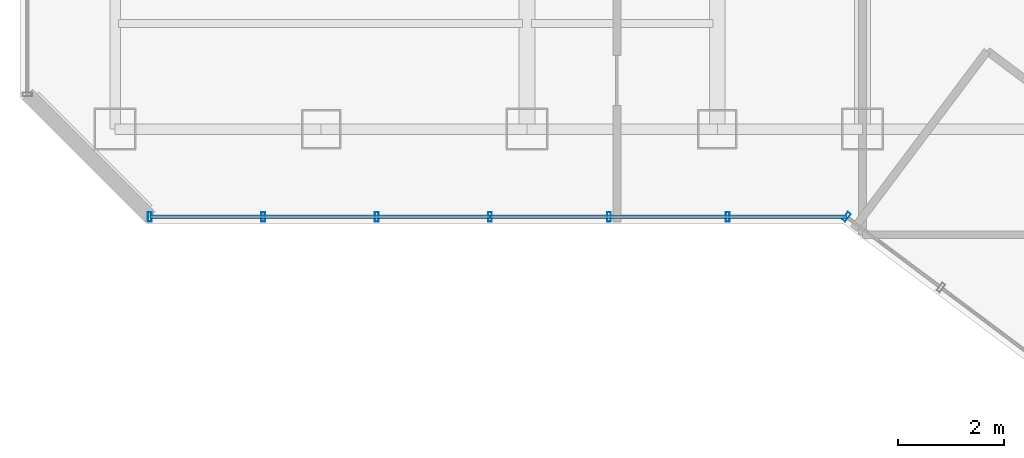
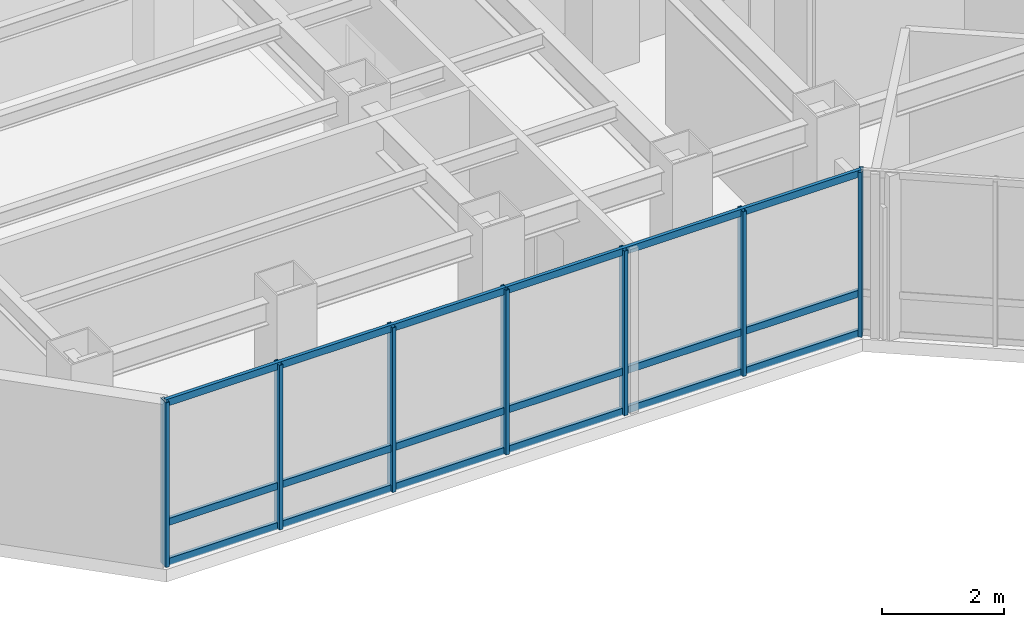
# One storey, part 2 of 29: 13 members, 3 elements without a shape of their own.
"""IFC4 building model written with IfcOpenShell, lengths in metres."""

import ifcopenshell
import ifcopenshell.guid

model = None  # the IFC model being written
_history = None  # IfcOwnerHistory: only IFC2X3 demands one
_inside = {}  # id of a spatial element -> (the spatial element, [elements in it])
_under = {}  # id of a project, library or spatial element -> (it, [spatial elements below it])
_declared = {}  # id of a project -> (the project, [libraries it declares])
_typed = {}  # id of a type object -> (the type object, [elements of that type])
_made_of = {}  # id of a material, layer set ... -> (it, [elements and type objects made of it])


def new_model(schema):
    """Start an empty IFC model of exactly this schema.

    Asked for "IFC4X3", IfcOpenShell would pick the latest addendum, in which some entities
    have other attributes; the version numbers below select the first issue.
    IFC2X3 requires an IfcOwnerHistory on every rooted entity: one is made here for all.
    """
    global model, _history
    if schema == "IFC4X3":
        model = ifcopenshell.file(schema_version=(4, 3, 0, 0))
    else:
        model = ifcopenshell.file(schema=schema)
    _inside.clear()
    _under.clear()
    _declared.clear()
    _typed.clear()
    _made_of.clear()
    _history = None
    if model.schema == "IFC2X3":
        org = make("IfcOrganization", Name="unknown")
        user = make(
            "IfcPersonAndOrganization",
            ThePerson=make("IfcPerson", FamilyName="unknown"),
            TheOrganization=org,
        )
        app = make(
            "IfcApplication",
            ApplicationDeveloper=org,
            Version="unknown",
            ApplicationFullName="unknown",
            ApplicationIdentifier="unknown",
        )
        _history = make(
            "IfcOwnerHistory",
            OwningUser=user,
            OwningApplication=app,
            ChangeAction="ADDED",
            CreationDate=0,
        )
    return model


def make(cls, **values):
    """One entity of the class cls with the attributes given. An attribute that is None is left unset."""
    return model.create_entity(
        cls, **{name: value for name, value in values.items() if value is not None}
    )


def rooted(cls, **values):
    """An entity with a GlobalId (a new one), such as an element, a storey or a relation."""
    return make(cls, GlobalId=ifcopenshell.guid.new(), OwnerHistory=_history, **values)


def si_unit(unit_type, name, prefix=None):
    """IfcSIUnit, for example si_unit("LENGTHUNIT", "METRE", prefix="MILLI")."""
    return make("IfcSIUnit", UnitType=unit_type, Prefix=prefix, Name=name)


def assignment(units):
    """IfcUnitAssignment: the units of a project."""
    return None if units is None else make("IfcUnitAssignment", Units=units)


def point(xyz):
    """IfcCartesianPoint."""
    return None if xyz is None else make("IfcCartesianPoint", Coordinates=xyz)


def direction(xyz):
    """IfcDirection."""
    return None if xyz is None else make("IfcDirection", DirectionRatios=xyz)


def frame(location, z_axis=None, x_axis=None):
    """IfcAxis2Placement3D, a coordinate frame: its origin and axes. An axis left out is left unset."""
    return make(
        "IfcAxis2Placement3D",
        Location=point(location),
        Axis=direction(z_axis),
        RefDirection=direction(x_axis),
    )


def frame_2d(location, x_axis=None):
    """IfcAxis2Placement2D, a coordinate frame in the plane: its origin and x axis."""
    return make(
        "IfcAxis2Placement2D", Location=point(location), RefDirection=direction(x_axis)
    )


def origin():
    """The frame at (0, 0, 0) with its axes left unset."""
    return frame((0.0, 0.0, 0.0))


def origin_2d():
    """The frame at (0, 0) in the plane with its x axis left unset."""
    return frame_2d((0.0, 0.0))


def place(relative_to, where):
    """IfcLocalPlacement: puts the frame where relative to a parent placement (None: the world)."""
    return make(
        "IfcLocalPlacement", PlacementRelTo=relative_to, RelativePlacement=where
    )


def context(
    kind, dimensions, precision=None, world=None, true_north=None, identifier=None
):
    """IfcGeometricRepresentationContext, for example the 3D "Model" context."""
    return make(
        "IfcGeometricRepresentationContext",
        ContextIdentifier=identifier,
        ContextType=kind,
        CoordinateSpaceDimension=dimensions,
        Precision=precision,
        WorldCoordinateSystem=world,
        TrueNorth=true_north,
    )


def subcontext(parent, identifier, kind, view, scale=None):
    """IfcGeometricRepresentationSubContext, for example "Body" below "Model"."""
    return make(
        "IfcGeometricRepresentationSubContext",
        ContextIdentifier=identifier,
        ContextType=kind,
        ParentContext=parent,
        TargetScale=scale,
        TargetView=view,
    )


def project(units=None, contexts=None):
    """IfcProject with its units and contexts."""
    return rooted(
        "IfcProject",
        Name="project",
        RepresentationContexts=contexts,
        UnitsInContext=assignment(units),
    )


def spatial(cls, under=None, at=None, **own):
    """A site, building, storey or space (cls), placed at a placement, below another one or the project."""
    s = rooted(cls, ObjectPlacement=at, **own)
    if under is not None:
        _under.setdefault(under.id(), (under, []))[1].append(s)
    return s


def profile(cls, at=None, kind="AREA", **sizes):
    """A parametric profile (cls). Its sizes go by their IFC names, for example OverallWidth=200.0."""
    return make(cls, ProfileType=kind, Position=at, **sizes)


def hollow_rectangle(**sizes):
    """IfcRectangleHollowProfileDef."""
    return profile("IfcRectangleHollowProfileDef", **sizes)


def extrude(swept, where, along, depth):
    """IfcExtrudedAreaSolid: the profile swept, set in the frame where, extruded along a direction by depth."""
    return make(
        "IfcExtrudedAreaSolid",
        SweptArea=swept,
        Position=where,
        ExtrudedDirection=direction(along),
        Depth=depth,
    )


def shape(context_of_items, identifier, shape_type, items):
    """IfcShapeRepresentation: the items that make up one representation, for example the "Body"."""
    return make(
        "IfcShapeRepresentation",
        ContextOfItems=context_of_items,
        RepresentationIdentifier=identifier,
        RepresentationType=shape_type,
        Items=items,
    )


def material(Name=None, Category=None):
    """IfcMaterial."""
    return make("IfcMaterial", Name=Name, Category=Category)


def layer(
    of_material, thickness, ventilated=None, Name=None, Category=None, Priority=None
):
    """IfcMaterialLayer: one layer of a wall or slab, of a material (None: an air gap)."""
    return make(
        "IfcMaterialLayer",
        Material=of_material,
        LayerThickness=thickness,
        IsVentilated=ventilated,
        Name=Name,
        Category=Category,
        Priority=Priority,
    )


def layer_set(layers, Name=None):
    """IfcMaterialLayerSet."""
    return make("IfcMaterialLayerSet", MaterialLayers=layers, LayerSetName=Name)


def material_profile(
    of_material, cross_section, Name=None, Category=None, Priority=None
):
    """IfcMaterialProfile: a cross section and its material."""
    return make(
        "IfcMaterialProfile",
        Name=Name,
        Material=of_material,
        Profile=cross_section,
        Priority=Priority,
        Category=Category,
    )


def profile_set(profiles, Name=None, composite=None):
    """IfcMaterialProfileSet."""
    return make(
        "IfcMaterialProfileSet",
        Name=Name,
        MaterialProfiles=profiles,
        CompositeProfile=composite,
    )


def made_of(thing, what):
    """Note that an element or type object is made of a material, layer set ...; save() writes the relation."""
    if what is not None:
        _made_of.setdefault(what.id(), (what, []))[1].append(thing)
    return thing


def type_object(cls, material=None, **own):
    """A type object (cls), such as IfcWallType, which elements share."""
    return made_of(rooted(cls, **own), material)


def element(
    cls,
    number,
    at=None,
    inside=None,
    cuts=None,
    type_object=None,
    material=None,
    context=None,
    identifier="Body",
    shape_type=None,
    held_by="IfcProductDefinitionShape",
    body=None,
    shapes=None,
    **own,
):
    """One element of the class cls, such as IfcWall. Its Tag is "e" and its number.

    at: its placement. inside: the storey or other place that contains it. cuts: it is an
    opening in that element (IfcRelVoidsElement). A single representation is given by context,
    identifier, shape_type and body (its items); several are given by shapes. held_by: the class
    of the entity that holds the representations. save() writes the other relations.
    """
    e = rooted(cls, Tag="e%d" % number, ObjectPlacement=at, **own)
    if body is not None:
        shapes = [shape(context, identifier, shape_type, body)]
    if shapes is not None:
        e.Representation = make(held_by, Representations=shapes)
    if inside is not None:
        _inside.setdefault(inside.id(), (inside, []))[1].append(e)
    if cuts is not None:
        rooted(
            "IfcRelVoidsElement", RelatingBuildingElement=cuts, RelatedOpeningElement=e
        )
    if type_object is not None:
        _typed.setdefault(type_object.id(), (type_object, []))[1].append(e)
    return made_of(e, material)


def aggregate(whole, parts):
    """IfcRelAggregates: a whole, such as a stair, and the parts it consists of."""
    return rooted("IfcRelAggregates", RelatingObject=whole, RelatedObjects=parts)


def save(model, path):
    """Write the relations noted so far, then the file.

    IfcRelAggregates (storeys below a building ...), IfcRelContainedInSpatialStructure (elements
    in a storey), IfcRelDefinesByType, IfcRelAssociatesMaterial and IfcRelDeclares: one each for
    every whole, place, type object, material and project.
    """
    for whole, parts in _under.values():
        aggregate(whole, parts)
    for where, things in _inside.values():
        rooted(
            "IfcRelContainedInSpatialStructure",
            RelatedElements=things,
            RelatingStructure=where,
        )
    for kind, things in _typed.values():
        rooted("IfcRelDefinesByType", RelatedObjects=things, RelatingType=kind)
    for what, things in _made_of.values():
        rooted("IfcRelAssociatesMaterial", RelatedObjects=things, RelatingMaterial=what)
    for by, libraries in _declared.values():
        rooted("IfcRelDeclares", RelatingContext=by, RelatedDefinitions=libraries)
    model.write(path)


model = new_model("IFC4")

# Units and contexts
model_context = context("Model", 3, precision=1e-05, world=origin(), true_north=direction((0.0, 1.0)))
body_context = subcontext(model_context, "Body", "Model", "MODEL_VIEW")
ifc_project = project(units=[si_unit("LENGTHUNIT", "METRE"), si_unit("AREAUNIT", "SQUARE_METRE"), si_unit("VOLUMEUNIT", "CUBIC_METRE"), si_unit("PLANEANGLEUNIT", "RADIAN"), si_unit("MASSUNIT", "GRAM", prefix="KILO")], contexts=[model_context])

# Site, building, storey
site_placement = place(None, origin())
site = spatial("IfcSite", under=ifc_project, at=site_placement, CompositionType="ELEMENT")
building_placement = place(site_placement, origin())
building = spatial("IfcBuilding", under=site, at=building_placement, Name="Hatsunagi Terrace Concourse", CompositionType="ELEMENT")
storey_placement = place(building_placement, frame((0.0, 0.0, 178.050048828125)))
storey = spatial("IfcBuildingStorey", under=building, at=storey_placement, Name="L47", CompositionType="ELEMENT", Elevation=178.050048828125)

# Curtain wall, member
ifc_material_1 = material(Name="Anodised Aluminium Alloy 6063-T5", Category="aluminium")
ifc_layer = layer(ifc_material_1, 0.199951171875)
ifc_layer_set = layer_set([ifc_layer], Name="OfficeZone1_CW03")
curtain_wall_type = type_object("IfcCurtainWallType", Name="OfficeZone1_CW03", PredefinedType="NOTDEFINED", material=ifc_layer_set)
curtain_wall_1_placement = place(storey_placement, origin())
curtain_wall_1 = element("IfcCurtainWall", 1, at=curtain_wall_1_placement, inside=storey, type_object=curtain_wall_type, Name="Unitised Curtain Wall CW-03 CW-L47-05", PredefinedType="NOTDEFINED")
ifc_material_2 = material(Name="Anodised Aluminium Alloy 6063-T5", Category="aluminium")
ifc_material_profile_1 = material_profile(ifc_material_2, hollow_rectangle(XDim=0.070068359375, YDim=0.179931640625, WallThickness=0.00390625, at=origin_2d()), Name="ALU-MUL-180x70x4")
ifc_profile_set_1 = profile_set([ifc_material_profile_1], Name="Anodised Aluminium Alloy 6063-T5")
member_type_1 = type_object("IfcMemberType", Name="CurtainWallMullion_180x70", PredefinedType="MULLION", material=ifc_profile_set_1)
member_1_placement = place(storey_placement, frame((25.2470703125, 23.5400390625, 0.0), z_axis=(0.0, 0.0, 1.0), x_axis=(-0.800005211305, 0.599993051531, 0.0)))
member_1 = element("IfcMember", 2, at=member_1_placement, type_object=member_type_1, Name="Curtain Wall Mullion MUL-02", PredefinedType="MULLION", context=body_context, shape_type="SweptSolid", body=[
    extrude(hollow_rectangle(XDim=0.070068359375, YDim=0.179931640625, WallThickness=0.00390625, at=origin_2d()), origin(), (0.0, 0.0, 1.0), 3.300048828125),
])
aggregate(curtain_wall_1, [member_1])

# Curtain wall, members
curtain_wall_2_placement = place(storey_placement, origin())
curtain_wall_2 = element("IfcCurtainWall", 3, at=curtain_wall_2_placement, inside=storey, type_object=curtain_wall_type, Name="Unitised Curtain Wall CW-03 CW-L47-06", PredefinedType="NOTDEFINED")
member_2_placement = place(storey_placement, frame((22.998046875, 23.5400390625, 0.0), z_axis=(0.0, 0.0, 1.0), x_axis=(-1.0, 0.0, 0.0)))
member_2 = element("IfcMember", 4, at=member_2_placement, type_object=member_type_1, Name="Curtain Wall Mullion MUL-02", PredefinedType="MULLION", context=body_context, shape_type="SweptSolid", body=[
    extrude(hollow_rectangle(XDim=0.070068359375, YDim=0.179931640625, WallThickness=0.00390625, at=origin_2d()), origin(), (0.0, 0.0, 1.0), 3.300048828125),
])
member_3_placement = place(storey_placement, frame((20.7490234375, 23.5400390625, 0.0), z_axis=(0.0, 0.0, 1.0), x_axis=(-1.0, 0.0, 0.0)))
member_3 = element("IfcMember", 5, at=member_3_placement, type_object=member_type_1, Name="Curtain Wall Mullion MUL-02", PredefinedType="MULLION", context=body_context, shape_type="SweptSolid", body=[
    extrude(hollow_rectangle(XDim=0.070068359375, YDim=0.179931640625, WallThickness=0.00390625, at=origin_2d()), origin(), (0.0, 0.0, 1.0), 3.300048828125),
])
member_4_placement = place(storey_placement, frame((18.5, 23.5400390625, 0.0), z_axis=(0.0, 0.0, 1.0), x_axis=(-1.0, 0.0, 0.0)))
member_4 = element("IfcMember", 6, at=member_4_placement, type_object=member_type_1, Name="Curtain Wall Mullion MUL-02", PredefinedType="MULLION", context=body_context, shape_type="SweptSolid", body=[
    extrude(hollow_rectangle(XDim=0.070068359375, YDim=0.179931640625, WallThickness=0.00390625, at=origin_2d()), origin(), (0.0, 0.0, 1.0), 3.300048828125),
])

curtain_wall_3_placement = place(storey_placement, origin())
curtain_wall_3 = element("IfcCurtainWall", 7, at=curtain_wall_3_placement, inside=storey, type_object=curtain_wall_type, Name="Unitised Curtain Wall CW-03 CW-L47-07", PredefinedType="NOTDEFINED")
member_5_placement = place(storey_placement, frame((16.35302734375, 23.5400390625, 0.0), z_axis=(0.0, 0.0, 1.0), x_axis=(-1.0, 0.0, 0.0)))
member_5 = element("IfcMember", 8, at=member_5_placement, type_object=member_type_1, Name="Curtain Wall Mullion MUL-02", PredefinedType="MULLION", context=body_context, shape_type="SweptSolid", body=[
    extrude(hollow_rectangle(XDim=0.070068359375, YDim=0.179931640625, WallThickness=0.00390625, at=origin_2d()), origin(), (0.0, 0.0, 1.0), 3.300048828125),
])
member_6_placement = place(storey_placement, frame((14.205078125, 23.5400390625, 0.0), z_axis=(0.0, 0.0, 1.0), x_axis=(-1.0, 0.0, 0.0)))
member_6 = element("IfcMember", 9, at=member_6_placement, type_object=member_type_1, Name="Curtain Wall Mullion MUL-02", PredefinedType="MULLION", context=body_context, shape_type="SweptSolid", body=[
    extrude(hollow_rectangle(XDim=0.070068359375, YDim=0.179931640625, WallThickness=0.00390625, at=origin_2d()), origin(), (0.0, 0.0, 1.0), 3.300048828125),
])
member_7_placement = place(storey_placement, frame((12.05810546875, 23.5400390625, 0.0), z_axis=(0.0, 0.0, 1.0), x_axis=(-1.0, 0.0, 0.0)))
member_7 = element("IfcMember", 10, at=member_7_placement, type_object=member_type_1, Name="Curtain Wall Mullion MUL-02", PredefinedType="MULLION", context=body_context, shape_type="SweptSolid", body=[
    extrude(hollow_rectangle(XDim=0.070068359375, YDim=0.179931640625, WallThickness=0.00390625, at=origin_2d()), origin(), (0.0, 0.0, 1.0), 3.300048828125),
])

# Member
ifc_material_3 = material(Name="Anodised Aluminium Alloy 6063-T5", Category="aluminium")
ifc_material_profile_2 = material_profile(ifc_material_3, hollow_rectangle(XDim=0.06494140625, YDim=0.139892578125, WallThickness=0.00390625, at=origin_2d()), Name="ALU-TRN-140x65x4")
ifc_profile_set_2 = profile_set([ifc_material_profile_2], Name="Anodised Aluminium Alloy 6063-T5")
member_type_2 = type_object("IfcMemberType", Name="CurtainWallTransom_140x65", PredefinedType="USERDEFINED", material=ifc_profile_set_2)
member_8_placement = place(storey_placement, frame((25.2470703125, 23.5400390625, 0.050048828125), z_axis=(-1.0, 0.0, 0.0), x_axis=(0.0, -1.0, 0.0)))
member_8 = element("IfcMember", 11, at=member_8_placement, type_object=member_type_2, Name="Curtain Wall Transom TRN-02", ObjectType="TRANSOM", PredefinedType="USERDEFINED", context=body_context, shape_type="SweptSolid", body=[
    extrude(hollow_rectangle(XDim=0.06494140625, YDim=0.139892578125, WallThickness=0.00390625, at=origin_2d()), origin(), (0.0, 0.0, 1.0), 6.7470703125),
])

member_9_placement = place(storey_placement, frame((25.2470703125, 23.5400390625, 0.849853515625), z_axis=(-1.0, 0.0, 0.0), x_axis=(0.0, -1.0, 0.0)))
member_9 = element("IfcMember", 12, at=member_9_placement, type_object=member_type_2, Name="Curtain Wall Transom TRN-02", ObjectType="TRANSOM", PredefinedType="USERDEFINED", context=body_context, shape_type="SweptSolid", body=[
    extrude(hollow_rectangle(XDim=0.06494140625, YDim=0.139892578125, WallThickness=0.00390625, at=origin_2d()), origin(), (0.0, 0.0, 1.0), 6.7470703125),
])

member_10_placement = place(storey_placement, frame((25.2470703125, 23.5400390625, 3.25), z_axis=(-1.0, 0.0, 0.0), x_axis=(0.0, -1.0, 0.0)))
member_10 = element("IfcMember", 13, at=member_10_placement, type_object=member_type_2, Name="Curtain Wall Transom TRN-02", ObjectType="TRANSOM", PredefinedType="USERDEFINED", context=body_context, shape_type="SweptSolid", body=[
    extrude(hollow_rectangle(XDim=0.06494140625, YDim=0.139892578125, WallThickness=0.00390625, at=origin_2d()), origin(), (0.0, 0.0, 1.0), 6.7470703125),
])

aggregate(curtain_wall_2, [member_2, member_3, member_4, member_8, member_9, member_10])

member_11_placement = place(storey_placement, frame((18.5, 23.5400390625, 0.050048828125), z_axis=(-1.0, 0.0, 0.0), x_axis=(0.0, -1.0, 0.0)))
member_11 = element("IfcMember", 14, at=member_11_placement, type_object=member_type_2, Name="Curtain Wall Transom TRN-02", ObjectType="TRANSOM", PredefinedType="USERDEFINED", context=body_context, shape_type="SweptSolid", body=[
    extrude(hollow_rectangle(XDim=0.06494140625, YDim=0.139892578125, WallThickness=0.00390625, at=origin_2d()), origin(), (0.0, 0.0, 1.0), 6.44189453125),
])

member_12_placement = place(storey_placement, frame((18.5, 23.5400390625, 0.849853515625), z_axis=(-1.0, 0.0, 0.0), x_axis=(0.0, -1.0, 0.0)))
member_12 = element("IfcMember", 15, at=member_12_placement, type_object=member_type_2, Name="Curtain Wall Transom TRN-02", ObjectType="TRANSOM", PredefinedType="USERDEFINED", context=body_context, shape_type="SweptSolid", body=[
    extrude(hollow_rectangle(XDim=0.06494140625, YDim=0.139892578125, WallThickness=0.00390625, at=origin_2d()), origin(), (0.0, 0.0, 1.0), 6.44189453125),
])

member_13_placement = place(storey_placement, frame((18.5, 23.5400390625, 3.25), z_axis=(-1.0, 0.0, 0.0), x_axis=(0.0, -1.0, 0.0)))
member_13 = element("IfcMember", 16, at=member_13_placement, type_object=member_type_2, Name="Curtain Wall Transom TRN-02", ObjectType="TRANSOM", PredefinedType="USERDEFINED", context=body_context, shape_type="SweptSolid", body=[
    extrude(hollow_rectangle(XDim=0.06494140625, YDim=0.139892578125, WallThickness=0.00390625, at=origin_2d()), origin(), (0.0, 0.0, 1.0), 6.44189453125),
])

aggregate(curtain_wall_3, [member_5, member_6, member_7, member_11, member_12, member_13])

save(model, "model.ifc")
